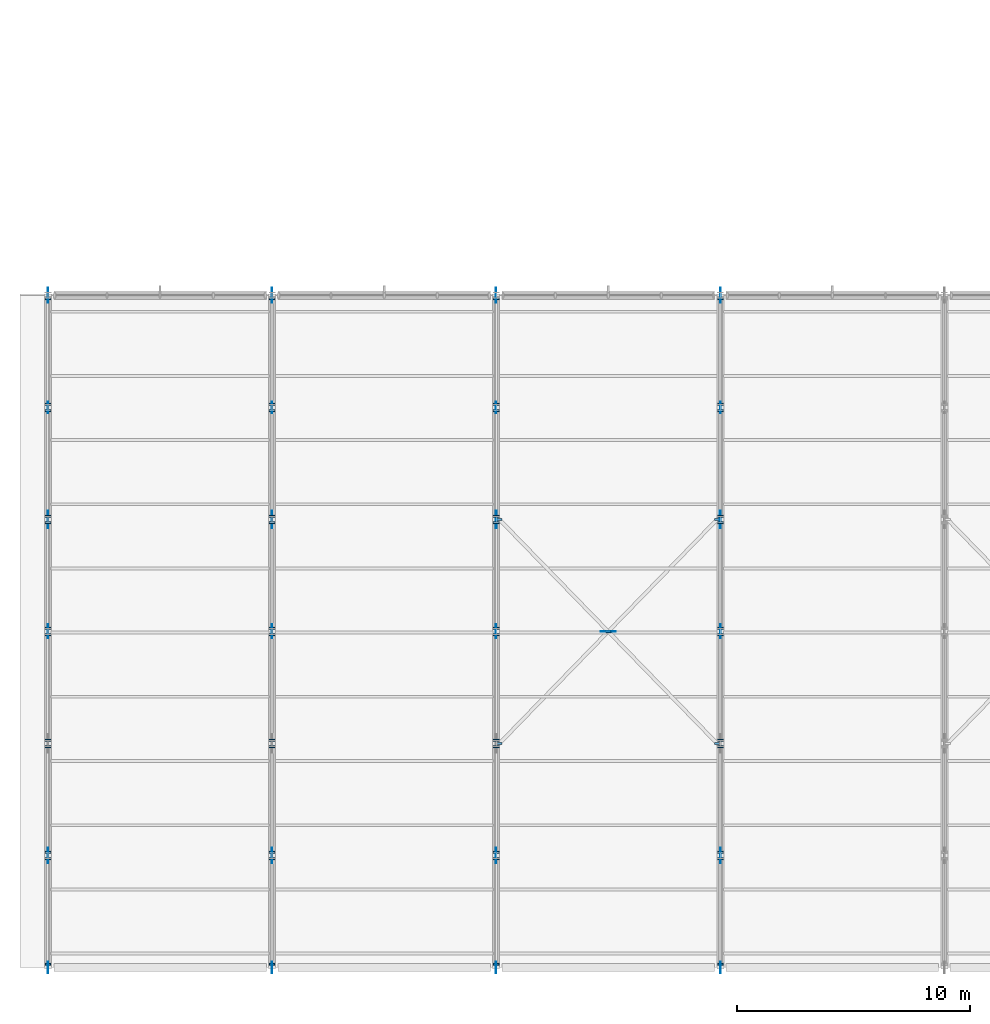
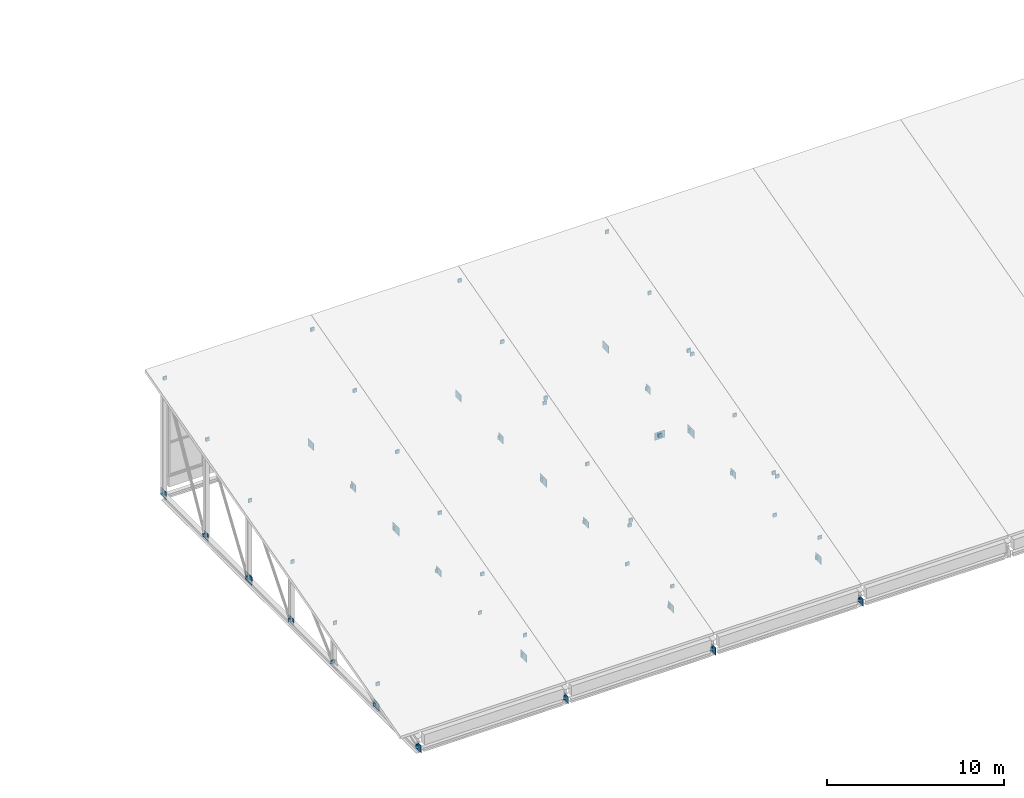
# One storey, part 38 of 57: 79 plates.
"""IFC4 building model written with IfcOpenShell, lengths in metres."""

from ifc_helpers import new_model, si_unit, direction, frame, origin, origin_2d, place, context, subcontext, project, spatial, rectangle, extrude, material, layer, layer_set, type_object, element, save


model = new_model("IFC4")

# Units and contexts
model_context = context("Model", 3, precision=1e-05, world=origin(), true_north=direction((0.0, 1.0)))
body_context = subcontext(model_context, "Body", "Model", "MODEL_VIEW")
ifc_project = project(units=[si_unit("LENGTHUNIT", "METRE"), si_unit("AREAUNIT", "SQUARE_METRE"), si_unit("VOLUMEUNIT", "CUBIC_METRE"), si_unit("PLANEANGLEUNIT", "RADIAN"), si_unit("MASSUNIT", "GRAM", prefix="KILO")], contexts=[model_context])

# Site, building, storey
site_placement = place(None, origin())
site = spatial("IfcSite", under=ifc_project, at=site_placement, CompositionType="ELEMENT")
building_placement = place(site_placement, origin())
building = spatial("IfcBuilding", under=site, at=building_placement, Name="Shalvenor Court Art Gallery", CompositionType="ELEMENT")
storey_placement = place(building_placement, frame((0.0, 0.0, 16.800048828125)))
storey = spatial("IfcBuildingStorey", under=building, at=storey_placement, Name="L03", CompositionType="ELEMENT", Elevation=16.800048828125)

# Plates
ifc_material_1 = material(Name="Steel S355", Category="steel")
ifc_layer_1 = layer(ifc_material_1, 0.02001953125, Name="Steel S355")
ifc_layer_set_1 = layer_set([ifc_layer_1], Name="Steel S355")
plate_type_1 = type_object("IfcPlateType", Name="EP-02", PredefinedType="USERDEFINED", material=ifc_layer_set_1)
for number, where, z_axis, x_axis, name in (
    (1, (0.0, 0.139892578125, -1.2802734375), (0.0, 0.0, 1.0), (1.0, 0.0, 0.0), "Truss End Cap Stiffener PLT-CAP-0174"),
    (2, (0.0, 4.659912109375, 0.26171875), (0.0, 0.0, 1.0), (1.0, 0.0, 0.0), "Truss End Cap Stiffener PLT-CAP-0175"),
    (3, (0.0, 4.93994140625, -1.2802734375), (0.0, 0.0, 1.0), (1.0, 0.0, 0.0), "Truss End Cap Stiffener PLT-CAP-0176"),
    (4, (0.0, 9.4599609375, 1.5615234375), (0.0, 0.0, 1.0), (1.0, 0.0, 0.0), "Truss End Cap Stiffener PLT-CAP-0177"),
    (5, (0.0, 9.739990234375, -1.2802734375), (0.0, 0.0, 1.0), (1.0, 0.0, 0.0), "Truss End Cap Stiffener PLT-CAP-0178"),
    (6, (0.0, 14.260009765625, 2.86181640625), (0.0, 0.0, 1.0), (1.0, 0.0, 0.0), "Truss End Cap Stiffener PLT-CAP-0179"),
    (7, (0.0, 14.5400390625, -1.2802734375), (0.0, 0.0, 1.0), (1.0, 0.0, 0.0), "Truss End Cap Stiffener PLT-CAP-0180"),
    (8, (0.0, 19.06005859375, 4.16162109375), (0.0, 0.0, 1.0), (1.0, 0.0, 0.0), "Truss End Cap Stiffener PLT-CAP-0181"),
    (9, (0.0, 19.340087890625, -1.2802734375), (0.0, 0.0, 1.0), (1.0, 0.0, 0.0), "Truss End Cap Stiffener PLT-CAP-0182"),
    (10, (0.0, 23.860107421875, 5.46142578125), (0.0, 0.0, 1.0), (1.0, 0.0, 0.0), "Truss End Cap Stiffener PLT-CAP-0183"),
    (11, (0.0, 24.139892578125, -1.2802734375), (0.0, 0.0, 1.0), (1.0, 0.0, 0.0), "Truss End Cap Stiffener PLT-CAP-0184"),
    (12, (0.0, 28.659912109375, 6.76171875), (0.0, 0.0, 1.0), (1.0, 0.0, 0.0), "Truss End Cap Stiffener PLT-CAP-0185"),
    (13, (9.60009765625, 0.139892578125, -1.2802734375), (0.0, 0.0, 1.0), (1.0, 0.0, 0.0), "Truss End Cap Stiffener PLT-CAP-0193"),
    (14, (9.60009765625, 4.659912109375, 0.26171875), (0.0, 0.0, 1.0), (1.0, 0.0, 0.0), "Truss End Cap Stiffener PLT-CAP-0194"),
    (15, (9.60009765625, 4.93994140625, -1.2802734375), (0.0, 0.0, 1.0), (1.0, 0.0, 0.0), "Truss End Cap Stiffener PLT-CAP-0195"),
    (16, (9.60009765625, 9.4599609375, 1.5615234375), (0.0, 0.0, 1.0), (1.0, 0.0, 0.0), "Truss End Cap Stiffener PLT-CAP-0196"),
    (17, (9.60009765625, 9.739990234375, -1.2802734375), (0.0, 0.0, 1.0), (1.0, 0.0, 0.0), "Truss End Cap Stiffener PLT-CAP-0197"),
    (18, (9.60009765625, 14.260009765625, 2.86181640625), (0.0, 0.0, 1.0), (1.0, 0.0, 0.0), "Truss End Cap Stiffener PLT-CAP-0198"),
    (19, (9.60009765625, 14.5400390625, -1.2802734375), (0.0, 0.0, 1.0), (1.0, 0.0, 0.0), "Truss End Cap Stiffener PLT-CAP-0199"),
    (20, (9.60009765625, 19.06005859375, 4.16162109375), (0.0, 0.0, 1.0), (1.0, 0.0, 0.0), "Truss End Cap Stiffener PLT-CAP-0200"),
    (21, (9.60009765625, 19.340087890625, -1.2802734375), (0.0, 0.0, 1.0), (1.0, 0.0, 0.0), "Truss End Cap Stiffener PLT-CAP-0201"),
    (22, (9.60009765625, 23.860107421875, 5.46142578125), (0.0, 0.0, 1.0), (1.0, 0.0, 0.0), "Truss End Cap Stiffener PLT-CAP-0202"),
    (23, (9.60009765625, 24.139892578125, -1.2802734375), (0.0, 0.0, 1.0), (1.0, 0.0, 0.0), "Truss End Cap Stiffener PLT-CAP-0203"),
    (24, (9.60009765625, 28.659912109375, 6.76171875), (0.0, 0.0, 1.0), (1.0, 0.0, 0.0), "Truss End Cap Stiffener PLT-CAP-0204"),
    (25, (19.199951171875, 0.139892578125, -1.2802734375), (0.0, 0.0, 1.0), (1.0, 0.0, 0.0), "Truss End Cap Stiffener PLT-CAP-0212"),
    (26, (19.199951171875, 4.659912109375, 0.26171875), (0.0, 0.0, 1.0), (1.0, 0.0, 0.0), "Truss End Cap Stiffener PLT-CAP-0213"),
    (27, (19.199951171875, 4.93994140625, -1.2802734375), (0.0, 0.0, 1.0), (1.0, 0.0, 0.0), "Truss End Cap Stiffener PLT-CAP-0214"),
    (28, (19.199951171875, 9.4599609375, 1.5615234375), (0.0, 0.0, 1.0), (1.0, 0.0, 0.0), "Truss End Cap Stiffener PLT-CAP-0215"),
    (29, (19.199951171875, 9.739990234375, -1.2802734375), (0.0, 0.0, 1.0), (1.0, 0.0, 0.0), "Truss End Cap Stiffener PLT-CAP-0216"),
    (30, (19.199951171875, 14.260009765625, 2.86181640625), (0.0, 0.0, 1.0), (1.0, 0.0, 0.0), "Truss End Cap Stiffener PLT-CAP-0217"),
    (31, (19.199951171875, 14.5400390625, -1.2802734375), (0.0, 0.0, 1.0), (1.0, 0.0, 0.0), "Truss End Cap Stiffener PLT-CAP-0218"),
    (32, (19.199951171875, 19.06005859375, 4.16162109375), (0.0, 0.0, 1.0), (1.0, 0.0, 0.0), "Truss End Cap Stiffener PLT-CAP-0219"),
    (33, (19.199951171875, 19.340087890625, -1.2802734375), (0.0, 0.0, 1.0), (1.0, 0.0, 0.0), "Truss End Cap Stiffener PLT-CAP-0220"),
    (34, (19.199951171875, 23.860107421875, 5.46142578125), (0.0, 0.0, 1.0), (1.0, 0.0, 0.0), "Truss End Cap Stiffener PLT-CAP-0221"),
    (35, (19.199951171875, 24.139892578125, -1.2802734375), (0.0, 0.0, 1.0), (1.0, 0.0, 0.0), "Truss End Cap Stiffener PLT-CAP-0222"),
    (36, (19.199951171875, 28.659912109375, 6.76171875), (0.0, 0.0, 1.0), (1.0, 0.0, 0.0), "Truss End Cap Stiffener PLT-CAP-0223"),
    (37, (28.800048828125, 0.139892578125, -1.2802734375), (0.0, 0.0, 1.0), (1.0, 0.0, 0.0), "Truss End Cap Stiffener PLT-CAP-0231"),
    (38, (28.800048828125, 4.659912109375, 0.26171875), (0.0, 0.0, 1.0), (1.0, 0.0, 0.0), "Truss End Cap Stiffener PLT-CAP-0232"),
    (39, (28.800048828125, 4.93994140625, -1.2802734375), (0.0, 0.0, 1.0), (1.0, 0.0, 0.0), "Truss End Cap Stiffener PLT-CAP-0233"),
    (40, (28.800048828125, 9.4599609375, 1.5615234375), (0.0, 0.0, 1.0), (1.0, 0.0, 0.0), "Truss End Cap Stiffener PLT-CAP-0234"),
    (41, (28.800048828125, 9.739990234375, -1.2802734375), (0.0, 0.0, 1.0), (1.0, 0.0, 0.0), "Truss End Cap Stiffener PLT-CAP-0235"),
    (42, (28.800048828125, 14.260009765625, 2.86181640625), (0.0, 0.0, 1.0), (1.0, 0.0, 0.0), "Truss End Cap Stiffener PLT-CAP-0236"),
    (43, (28.800048828125, 14.5400390625, -1.2802734375), (0.0, 0.0, 1.0), (1.0, 0.0, 0.0), "Truss End Cap Stiffener PLT-CAP-0237"),
    (44, (28.800048828125, 19.06005859375, 4.16162109375), (0.0, 0.0, 1.0), (1.0, 0.0, 0.0), "Truss End Cap Stiffener PLT-CAP-0238"),
    (45, (28.800048828125, 19.340087890625, -1.2802734375), (0.0, 0.0, 1.0), (1.0, 0.0, 0.0), "Truss End Cap Stiffener PLT-CAP-0239"),
    (46, (28.800048828125, 23.860107421875, 5.46142578125), (0.0, 0.0, 1.0), (1.0, 0.0, 0.0), "Truss End Cap Stiffener PLT-CAP-0240"),
    (47, (28.800048828125, 24.139892578125, -1.2802734375), (0.0, 0.0, 1.0), (1.0, 0.0, 0.0), "Truss End Cap Stiffener PLT-CAP-0241"),
    (48, (28.800048828125, 28.659912109375, 6.76171875), (0.0, 0.0, 1.0), (1.0, 0.0, 0.0), "Truss End Cap Stiffener PLT-CAP-0242"),
):
    element("IfcPlate", number, at=place(storey_placement, frame(where, z_axis=z_axis, x_axis=x_axis)), inside=storey, type_object=plate_type_1, Name=name, ObjectType="STIFFENER PLATE", PredefinedType="USERDEFINED", context=body_context, shape_type="SweptSolid", body=[
        extrude(rectangle(XDim=0.239990234375, YDim=0.080078125, at=origin_2d()), origin(), (0.0, 0.0, 1.0), 0.239990234375),
    ])
ifc_material_2 = material(Name="Steel S355", Category="steel")
ifc_layer_2 = layer(ifc_material_2, 0.01806640625, Name="Steel S355")
ifc_layer_set_2 = layer_set([ifc_layer_2], Name="Steel S355")
plate_type_2 = type_object("IfcPlateType", Name="EP-03", PredefinedType="USERDEFINED", material=ifc_layer_set_2)
for number, where, z_axis, x_axis, name in (
    (49, (19.3349609375, 9.60009765625, 1.771484375), (0.0, 0.0, 1.0), (1.0, 0.0, 0.0), "Brace End Cap Stiffener PLT-CAP-0320"),
    (50, (28.6650390625, 19.199951171875, 4.37158203125), (0.0, 0.0, 1.0), (1.0, 0.0, 0.0), "Brace End Cap Stiffener PLT-CAP-0321"),
    (51, (28.6650390625, 9.60009765625, 1.771484375), (0.0, 0.0, 1.0), (1.0, 0.0, 0.0), "Brace End Cap Stiffener PLT-CAP-0322"),
    (52, (24.013671875, 14.385986328125, 3.06787109375), (0.0, 0.0, 1.0), (1.0, 0.0, 0.0), "Brace End Cap Stiffener PLT-CAP-0323"),
    (53, (23.986328125, 14.4140625, 3.07568359375), (0.0, 0.0, 1.0), (1.0, 0.0, 0.0), "Brace End Cap Stiffener PLT-CAP-0324"),
    (54, (19.3349609375, 19.199951171875, 4.37158203125), (0.0, 0.0, 1.0), (1.0, 0.0, 0.0), "Brace End Cap Stiffener PLT-CAP-0325"),
):
    element("IfcPlate", number, at=place(storey_placement, frame(where, z_axis=z_axis, x_axis=x_axis)), inside=storey, type_object=plate_type_2, Name=name, ObjectType="STIFFENER PLATE", PredefinedType="USERDEFINED", context=body_context, shape_type="SweptSolid", body=[
        extrude(rectangle(XDim=0.239990234375, YDim=0.10009765625, at=origin_2d()), origin(), (0.0, 0.0, 1.0), 0.239990234375),
    ])
ifc_material_3 = material(Name="Steel S355", Category="steel")
ifc_layer_3 = layer(ifc_material_3, 0.02392578125, Name="Steel S355")
ifc_layer_set_3 = layer_set([ifc_layer_3], Name="Steel S355")
plate_type_3 = type_object("IfcPlateType", Name="GP-01", PredefinedType="SHEET", material=ifc_layer_set_3)
for number, where, z_axis, x_axis, name in (
    (55, (0.0, 0.0, -1.400146484375), (0.0, 0.0, 1.0), (0.0, 1.0, 0.0), "TN-04 Truss Gusset Plate PLT-GUS-0167"),
    (56, (0.0, 24.0, -1.400146484375), (0.0, 0.0, 1.0), (0.0, 1.0, 0.0), "TN-05 Truss Gusset Plate PLT-GUS-0172"),
    (57, (9.60009765625, 0.0, -1.400146484375), (0.0, 0.0, 1.0), (0.0, 1.0, 0.0), "TN-04 Truss Gusset Plate PLT-GUS-0186"),
    (58, (9.60009765625, 24.0, -1.400146484375), (0.0, 0.0, 1.0), (0.0, 1.0, 0.0), "TN-05 Truss Gusset Plate PLT-GUS-0191"),
    (59, (19.199951171875, 0.0, -1.400146484375), (0.0, 0.0, 1.0), (0.0, 1.0, 0.0), "TN-04 Truss Gusset Plate PLT-GUS-0205"),
    (60, (19.199951171875, 24.0, -1.400146484375), (0.0, 0.0, 1.0), (0.0, 1.0, 0.0), "TN-05 Truss Gusset Plate PLT-GUS-0210"),
    (61, (28.800048828125, 0.0, -1.400146484375), (0.0, 0.0, 1.0), (0.0, 1.0, 0.0), "TN-04 Truss Gusset Plate PLT-GUS-0224"),
    (62, (28.800048828125, 24.0, -1.400146484375), (0.0, 0.0, 1.0), (0.0, 1.0, 0.0), "TN-05 Truss Gusset Plate PLT-GUS-0229"),
):
    element("IfcPlate", number, at=place(storey_placement, frame(where, z_axis=z_axis, x_axis=x_axis)), inside=storey, type_object=plate_type_3, Name=name, PredefinedType="SHEET", context=body_context, shape_type="SweptSolid", body=[
        extrude(rectangle(XDim=0.5, YDim=0.02392578125, at=origin_2d()), origin(), (0.0, 0.0, 1.0), 0.5),
    ])
ifc_material_4 = material(Name="Steel S355", Category="steel")
ifc_layer_4 = layer(ifc_material_4, 0.02392578125, Name="Steel S355")
ifc_layer_set_4 = layer_set([ifc_layer_4], Name="Steel S355")
plate_type_4 = type_object("IfcPlateType", Name="GP-02", PredefinedType="SHEET", material=ifc_layer_set_4)
for number, where, z_axis, x_axis, name in (
    (63, (0.0, 4.800048828125, -1.400146484375), (0.0, 0.0, 1.0), (0.0, 1.0, 0.0), "TN-05 Truss Gusset Plate PLT-GUS-0168"),
    (64, (0.0, 28.800048828125, -1.400146484375), (0.0, 0.0, 1.0), (0.0, 1.0, 0.0), "TN-06 Truss Gusset Plate PLT-GUS-0173"),
    (65, (9.60009765625, 4.800048828125, -1.400146484375), (0.0, 0.0, 1.0), (0.0, 1.0, 0.0), "TN-05 Truss Gusset Plate PLT-GUS-0187"),
    (66, (9.60009765625, 28.800048828125, -1.400146484375), (0.0, 0.0, 1.0), (0.0, 1.0, 0.0), "TN-06 Truss Gusset Plate PLT-GUS-0192"),
    (67, (19.199951171875, 4.800048828125, -1.400146484375), (0.0, 0.0, 1.0), (0.0, 1.0, 0.0), "TN-05 Truss Gusset Plate PLT-GUS-0206"),
    (68, (19.199951171875, 28.800048828125, -1.400146484375), (0.0, 0.0, 1.0), (0.0, 1.0, 0.0), "TN-06 Truss Gusset Plate PLT-GUS-0211"),
    (69, (28.800048828125, 4.800048828125, -1.400146484375), (0.0, 0.0, 1.0), (0.0, 1.0, 0.0), "TN-05 Truss Gusset Plate PLT-GUS-0225"),
    (70, (28.800048828125, 28.800048828125, -1.400146484375), (0.0, 0.0, 1.0), (0.0, 1.0, 0.0), "TN-06 Truss Gusset Plate PLT-GUS-0230"),
    (71, (24.0, 14.39990234375, 2.941650390625), (0.0, 0.0, 1.0), (1.0, 0.0, 0.0), "X-Brace Crossing Node Gusset PLT-XND-0319"),
):
    element("IfcPlate", number, at=place(storey_placement, frame(where, z_axis=z_axis, x_axis=x_axis)), inside=storey, type_object=plate_type_4, Name=name, PredefinedType="SHEET", context=body_context, shape_type="SweptSolid", body=[
        extrude(rectangle(XDim=0.64990234375, YDim=0.02392578125, at=origin_2d()), origin(), (0.0, 0.0, 1.0), 0.5),
    ])
ifc_material_5 = material(Name="Steel S355", Category="steel")
ifc_layer_5 = layer(ifc_material_5, 0.02197265625, Name="Steel S355")
ifc_layer_set_5 = layer_set([ifc_layer_5], Name="Steel S355")
plate_type_5 = type_object("IfcPlateType", Name="GP-04", PredefinedType="SHEET", material=ifc_layer_set_5)
for number, where, z_axis, x_axis, name in (
    (72, (0.0, 14.39990234375, -1.375), (0.0, 0.0, 1.0), (0.0, 1.0, 0.0), "TN-05 Truss Gusset Plate PLT-GUS-0170"),
    (73, (9.60009765625, 14.39990234375, -1.375), (0.0, 0.0, 1.0), (0.0, 1.0, 0.0), "TN-05 Truss Gusset Plate PLT-GUS-0189"),
    (74, (19.199951171875, 14.39990234375, -1.375), (0.0, 0.0, 1.0), (0.0, 1.0, 0.0), "TN-05 Truss Gusset Plate PLT-GUS-0208"),
    (75, (28.800048828125, 14.39990234375, -1.375), (0.0, 0.0, 1.0), (0.0, 1.0, 0.0), "TN-05 Truss Gusset Plate PLT-GUS-0227"),
):
    element("IfcPlate", number, at=place(storey_placement, frame(where, z_axis=z_axis, x_axis=x_axis)), inside=storey, type_object=plate_type_5, Name=name, PredefinedType="SHEET", context=body_context, shape_type="SweptSolid", body=[
        extrude(rectangle(XDim=0.60009765625, YDim=0.02197265625, at=origin_2d()), origin(), (0.0, 0.0, 1.0), 0.449951171875),
    ])
ifc_material_6 = material(Name="Steel S355", Category="steel")
ifc_layer_6 = layer(ifc_material_6, 0.028076171875, Name="Steel S355")
ifc_layer_set_6 = layer_set([ifc_layer_6], Name="Steel S355")
plate_type_6 = type_object("IfcPlateType", Name="GP-05", PredefinedType="SHEET", material=ifc_layer_set_6)
for number, where, z_axis, x_axis, name in (
    (76, (0.0, 19.199951171875, -1.42529296875), (0.0, 0.0, 1.0), (0.0, 1.0, 0.0), "TN-05 Truss Gusset Plate PLT-GUS-0171"),
    (77, (9.60009765625, 19.199951171875, -1.42529296875), (0.0, 0.0, 1.0), (0.0, 1.0, 0.0), "TN-05 Truss Gusset Plate PLT-GUS-0190"),
    (78, (19.199951171875, 19.199951171875, -1.42529296875), (0.0, 0.0, 1.0), (0.0, 1.0, 0.0), "TN-05 Truss Gusset Plate PLT-GUS-0209"),
    (79, (28.800048828125, 19.199951171875, -1.42529296875), (0.0, 0.0, 1.0), (0.0, 1.0, 0.0), "TN-05 Truss Gusset Plate PLT-GUS-0228"),
):
    element("IfcPlate", number, at=place(storey_placement, frame(where, z_axis=z_axis, x_axis=x_axis)), inside=storey, type_object=plate_type_6, Name=name, PredefinedType="SHEET", context=body_context, shape_type="SweptSolid", body=[
        extrude(rectangle(XDim=0.75, YDim=0.028076171875, at=origin_2d()), origin(), (0.0, 0.0, 1.0), 0.550048828125),
    ])

save(model, "model.ifc")
